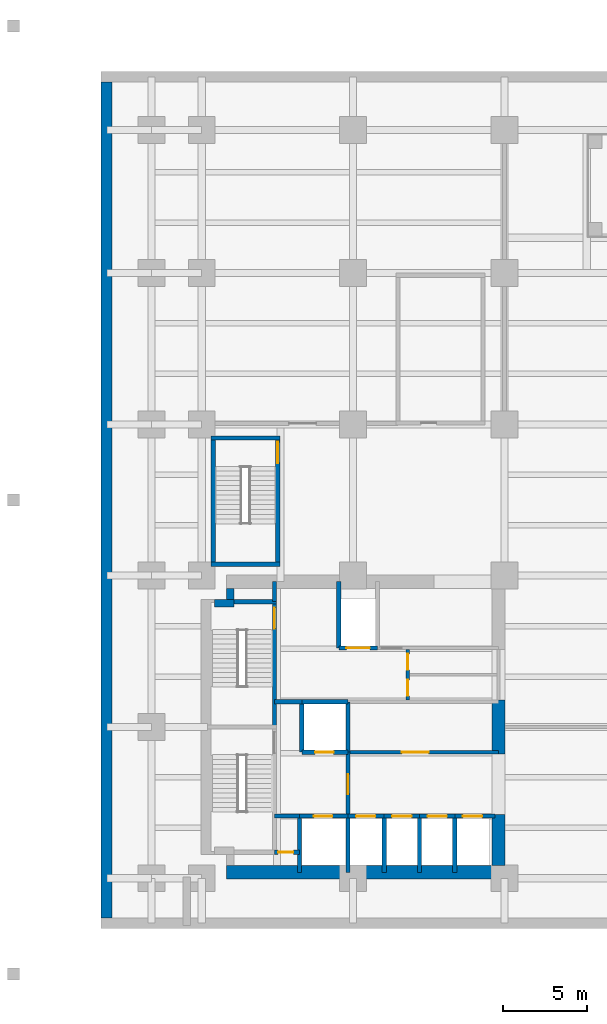
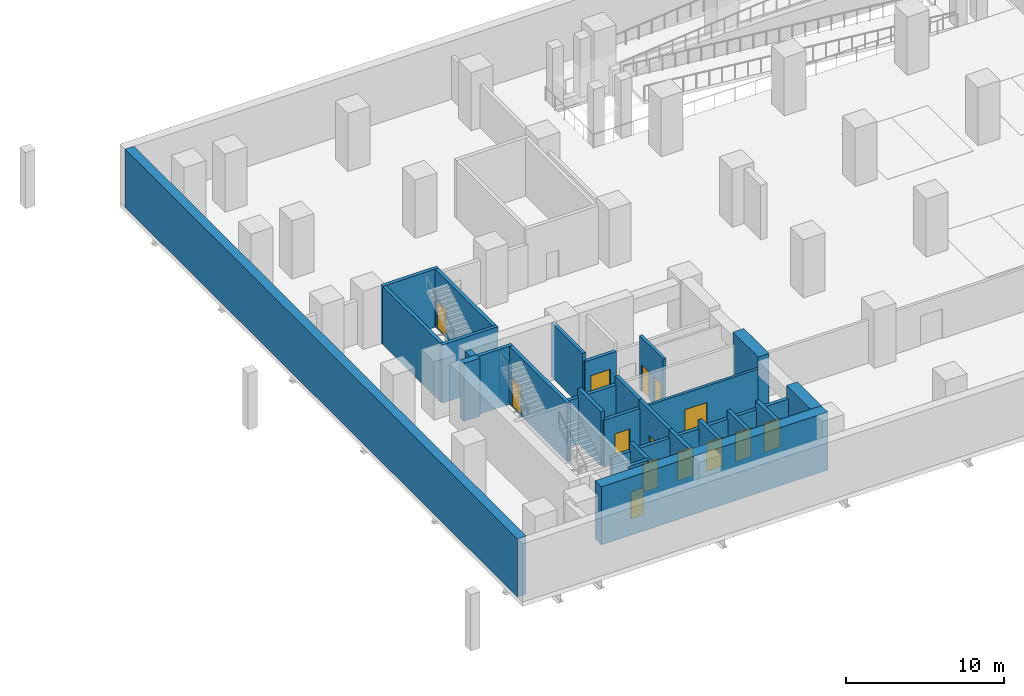
# One storey, part 5 of 10: 35 walls, 14 doors, 14 openings.
"""IFC4 building model written with IfcOpenShell, lengths in metres."""

from ifc_helpers import new_model, si_unit, direction, frame, frame_2d, origin, place, context, subcontext, project, spatial, rectangle, extrude, material, layer, layer_set, type_object, element, fill, save


model = new_model("IFC4")

# Units and contexts
model_context = context("Model", 3, precision=1e-05, world=origin(), true_north=direction((0.0, 1.0)))
body_context = subcontext(model_context, "Body", "Model", "MODEL_VIEW")
ifc_project = project(units=[si_unit("LENGTHUNIT", "METRE"), si_unit("AREAUNIT", "SQUARE_METRE"), si_unit("VOLUMEUNIT", "CUBIC_METRE"), si_unit("PLANEANGLEUNIT", "RADIAN"), si_unit("MASSUNIT", "GRAM", prefix="KILO")], contexts=[model_context])

# Site, building, storey
site_placement = place(None, origin())
site = spatial("IfcSite", under=ifc_project, at=site_placement, CompositionType="ELEMENT")
building_placement = place(site_placement, origin())
building = spatial("IfcBuilding", under=site, at=building_placement, Name="Mawjdan Bourse Tower", CompositionType="ELEMENT")
storey_placement = place(building_placement, frame((0.0, 0.0, -4.5)))
storey = spatial("IfcBuildingStorey", under=building, at=storey_placement, Name="B01", CompositionType="ELEMENT", Elevation=-4.5)

# Wall, opening, door
ifc_material_1 = material(Name="Gypsum Fireboard Assembly")
ifc_layer_1 = layer(ifc_material_1, 0.199951171875)
ifc_layer_set_1 = layer_set([ifc_layer_1], Name="Gypsum Fireboard Assembly")
wall_type_1 = type_object("IfcWallType", Name="WL-CMP-200", PredefinedType="PARTITIONING", material=ifc_layer_set_1)
wall_1_placement = place(storey_placement, frame((14.699951171875, 10.5, 0.0), z_axis=(0.0, 0.0, 1.0), x_axis=(1.0, 0.0, 0.0)))
wall_1 = element("IfcWall", 1, at=wall_1_placement, inside=storey, type_object=wall_type_1, Name="B01 Basement Switchroom South Wall", PredefinedType="PARTITIONING", context=body_context, shape_type="SweptSolid", body=[
    extrude(rectangle(XDim=8.949951171875, YDim=0.199951171875, at=frame_2d((4.47509765625, 0.0))), origin(), (0.0, 0.0, 1.0), 3.572998046875),
])
opening_1_placement = place(wall_1_placement, frame((3.199951171875, 0.0, 0.0)))
opening_1 = element("IfcOpeningElement", 2, at=opening_1_placement, cuts=wall_1, Name="Opening PD-B01-15", PredefinedType="OPENING", context=body_context, shape_type="SweptSolid", body=[
    extrude(rectangle(XDim=1.60009765625, YDim=2.300048828125, at=frame_2d((0.800048828125, 1.14990234375))), frame((0.0, 0.10986328125, 0.0), z_axis=(0.0, -1.0, 0.0), x_axis=(1.0, 0.0, 0.0)), (0.0, 0.0, 1.0), 0.219970703125),
])
ifc_material_2 = material(Name="Fire-Rated Acoustic Steel", Category="steel")
door_type_1 = type_object("IfcDoorType", Name="FD-PLT-1600", OperationType="DOUBLE_DOOR_SINGLE_SWING", PredefinedType="DOOR", material=ifc_material_2)
door_1_placement = place(opening_1_placement, frame((1.60009765625, 0.0, 0.0), z_axis=(0.0, 0.0, 1.0), x_axis=(-1.0, 0.0, 0.0)))
door_1 = element("IfcDoor", 3, at=door_1_placement, inside=storey, type_object=door_type_1, Name="B01 LV Switchroom Door PD-B01-15", OperationType="DOUBLE_DOOR_SINGLE_SWING", OverallHeight=2.300048828125, OverallWidth=1.60009765625, PredefinedType="DOOR", context=body_context, shape_type="SweptSolid", body=[
    extrude(rectangle(XDim=1.60009765625, YDim=2.300048828125, at=frame_2d((0.800048828125, 1.14990234375))), frame((0.0, 0.02490234375, 0.0), z_axis=(0.0, -1.0, 0.0), x_axis=(1.0, 0.0, 0.0)), (0.0, 0.0, 1.0), 0.050048828125),
])
fill(opening_1, door_1)

# Wall, openings, doors
wall_2_placement = place(storey_placement, frame((18.25, 13.60009765625, 0.0), z_axis=(0.0, 0.0, 1.0), x_axis=(0.0, 1.0, 0.0)))
wall_2 = element("IfcWall", 4, at=wall_2_placement, inside=storey, type_object=wall_type_1, Name="B01 Core Restroom West Wall", PredefinedType="PARTITIONING", context=body_context, shape_type="SweptSolid", body=[
    extrude(rectangle(XDim=3.0, YDim=0.199951171875, at=frame_2d((1.5, 0.0))), origin(), (0.0, 0.0, 1.0), 4.18994140625),
])
opening_2_placement = place(wall_2_placement, frame((0.25, 0.0, 0.0)))
opening_2 = element("IfcOpeningElement", 5, at=opening_2_placement, cuts=wall_2, Name="Opening D-B01-16", PredefinedType="OPENING", context=body_context, shape_type="SweptSolid", body=[
    extrude(rectangle(XDim=0.949951171875, YDim=2.10009765625, at=frame_2d((0.47509765625, 1.050048828125))), frame((0.0, 0.10986328125, 0.0), z_axis=(0.0, -1.0, 0.0), x_axis=(1.0, 0.0, 0.0)), (0.0, 0.0, 1.0), 0.219970703125),
])
opening_3_placement = place(wall_2_placement, frame((1.800048828125, 0.0, 0.0)))
opening_3 = element("IfcOpeningElement", 6, at=opening_3_placement, cuts=wall_2, Name="Opening D-B01-17", PredefinedType="OPENING", context=body_context, shape_type="SweptSolid", body=[
    extrude(rectangle(XDim=0.949951171875, YDim=2.10009765625, at=frame_2d((0.47509765625, 1.050048828125))), frame((0.0, 0.10986328125, 0.0), z_axis=(0.0, -1.0, 0.0), x_axis=(1.0, 0.0, 0.0)), (0.0, 0.0, 1.0), 0.219970703125),
])
ifc_material_3 = material(Name="Moisture-Resistant Laminate Timber", Category="wood")
door_type_2 = type_object("IfcDoorType", Name="DR-WET-0950", OperationType="NOTDEFINED", PredefinedType="DOOR", material=ifc_material_3)
door_2_placement = place(opening_2_placement, origin())
door_2 = element("IfcDoor", 7, at=door_2_placement, inside=storey, type_object=door_type_2, Name="B01 Accessible WC Entry Door D-B01-16", OperationType="SINGLE_SWING_LEFT", OverallHeight=2.10009765625, OverallWidth=0.949951171875, PredefinedType="DOOR", context=body_context, shape_type="SweptSolid", body=[
    extrude(rectangle(XDim=0.949951171875, YDim=2.10009765625, at=frame_2d((0.47509765625, 1.050048828125))), frame((0.0, 0.02490234375, 0.0), z_axis=(0.0, -1.0, 0.0), x_axis=(1.0, 0.0, 0.0)), (0.0, 0.0, 1.0), 0.050048828125),
])
fill(opening_2, door_2)
door_3_placement = place(opening_3_placement, origin())
door_3 = element("IfcDoor", 8, at=door_3_placement, inside=storey, type_object=door_type_2, Name="B01 Core Restroom Entry Door D-B01-17", OperationType="SINGLE_SWING_RIGHT", OverallHeight=2.10009765625, OverallWidth=0.949951171875, PredefinedType="DOOR", context=body_context, shape_type="SweptSolid", body=[
    extrude(rectangle(XDim=0.949951171875, YDim=2.10009765625, at=frame_2d((0.47509765625, 1.050048828125))), frame((0.0, 0.02490234375, 0.0), z_axis=(0.0, -1.0, 0.0), x_axis=(1.0, 0.0, 0.0)), (0.0, 0.0, 1.0), 0.050048828125),
])
fill(opening_3, door_3)

# Walls
ifc_material_4 = material(Name="Concrete C60/75", Category="concrete")
ifc_layer_2 = layer(ifc_material_4, 0.449951171875)
ifc_layer_set_2 = layer_set([ifc_layer_2], Name="Concrete C60/75")
wall_type_2 = type_object("IfcWallType", Name="WL-CORE-450", PredefinedType="SHEAR", material=ifc_layer_set_2)
wall_3_placement = place(storey_placement, frame((6.75, 19.35009765625, 0.0), z_axis=(0.0, 0.0, 1.0), x_axis=(1.0, 0.0, 0.0)))
element("IfcWall", 9, at=wall_3_placement, inside=storey, type_object=wall_type_2, Name="B01 Rear Core Shear Wall NW-X", PredefinedType="SHEAR", context=body_context, shape_type="SweptSolid", body=[
    extrude(rectangle(XDim=1.175048828125, YDim=0.449951171875, at=frame_2d((0.58740234375, 0.0))), origin(), (0.0, 0.0, 1.0), 4.5),
])
wall_4_placement = place(storey_placement, frame((7.699951171875, 19.574951171875, 0.0), z_axis=(0.0, 0.0, 1.0), x_axis=(0.0, 1.0, 0.0)))
element("IfcWall", 10, at=wall_4_placement, inside=storey, type_object=wall_type_2, Name="B01 Rear Core Shear Wall NW-Y", PredefinedType="SHEAR", context=body_context, shape_type="SweptSolid", body=[
    extrude(rectangle(XDim=0.675048828125, YDim=0.449951171875, at=frame_2d((0.33740234375, 0.0))), origin(), (0.0, 0.0, 1.0), 4.5),
])
ifc_material_5 = material(Name="Concrete C80/95", Category="concrete")
ifc_layer_3 = layer(ifc_material_5, 0.800048828125)
ifc_layer_set_3 = layer_set([ifc_layer_3], Name="Concrete C80/95")
wall_type_3 = type_object("IfcWallType", Name="WL-CORE-800", PredefinedType="SHEAR", material=ifc_layer_set_3)
wall_5_placement = place(storey_placement, frame((7.47509765625, 3.35009765625, 0.0), z_axis=(0.0, 0.0, 1.0), x_axis=(1.0, 0.0, 0.0)))
element("IfcWall", 11, at=wall_5_placement, inside=storey, type_object=wall_type_3, Name="B01 Rear Core Shear Wall S", PredefinedType="SHEAR", context=body_context, shape_type="SweptSolid", body=[
    extrude(rectangle(XDim=16.574951171875, YDim=0.800048828125, at=frame_2d((8.28759765625, 0.0))), origin(), (0.0, 0.0, 1.0), 4.5),
])
wall_6_placement = place(storey_placement, frame((23.64990234375, 3.75, 0.0), z_axis=(0.0, 0.0, 1.0), x_axis=(0.0, 1.0, 0.0)))
element("IfcWall", 12, at=wall_6_placement, inside=storey, type_object=wall_type_3, Name="B01 Rear Core Shear Wall E1", PredefinedType="SHEAR", context=body_context, shape_type="SweptSolid", body=[
    extrude(rectangle(XDim=3.050048828125, YDim=0.800048828125, at=frame_2d((1.52490234375, 0.0))), origin(), (0.0, 0.0, 1.0), 4.5),
])
wall_7_placement = place(storey_placement, frame((23.64990234375, 10.39990234375, 0.0), z_axis=(0.0, 0.0, 1.0), x_axis=(0.0, 1.0, 0.0)))
element("IfcWall", 13, at=wall_7_placement, inside=storey, type_object=wall_type_3, Name="B01 Rear Core Shear Wall E2", PredefinedType="SHEAR", context=body_context, shape_type="SweptSolid", body=[
    extrude(rectangle(XDim=3.2001953125, YDim=0.800048828125, at=frame_2d((1.60009765625, 0.0))), origin(), (0.0, 0.0, 1.0), 4.5),
])
ifc_layer_4 = layer(ifc_material_4, 0.64990234375)
ifc_layer_set_4 = layer_set([ifc_layer_4], Name="Concrete C60/75")
wall_type_4 = type_object("IfcWallType", Name="WL-RET-650", PredefinedType="USERDEFINED", material=ifc_layer_set_4)
wall_8_placement = place(storey_placement, frame((0.324951171875, 50.35009765625, 0.0), z_axis=(0.0, 0.0, 1.0), x_axis=(0.0, -1.0, 0.0)))
element("IfcWall", 14, at=wall_8_placement, inside=storey, type_object=wall_type_4, Name="B01 Perimeter Diaphragm Retaining Wall W", ObjectType="RETAINING", PredefinedType="USERDEFINED", context=body_context, shape_type="SweptSolid", body=[
    extrude(rectangle(XDim=49.7001953125, YDim=0.64990234375, at=frame_2d((24.85009765625, 0.0))), origin(), (0.0, 0.0, 1.0), 4.5),
])

# Wall, opening, door
ifc_material_6 = material(Name="Concrete C50/60", Category="concrete")
ifc_layer_5 = layer(ifc_material_6, 0.25)
ifc_layer_set_5 = layer_set([ifc_layer_5], Name="Concrete C50/60")
wall_type_5 = type_object("IfcWallType", Name="WL-SHFT-250", PredefinedType="PARTITIONING", material=ifc_layer_set_5)
wall_9_placement = place(storey_placement, frame((10.330078125, 4.550048828125, 0.0), z_axis=(0.0, 0.0, 1.0), x_axis=(1.0, 0.0, 0.0)))
wall_9 = element("IfcWall", 15, at=wall_9_placement, inside=storey, type_object=wall_type_5, Name="B01 SW Riser North Wall", PredefinedType="PARTITIONING", context=body_context, shape_type="SweptSolid", body=[
    extrude(rectangle(XDim=1.489990234375, YDim=0.25, at=frame_2d((0.7451171875, 0.0))), origin(), (0.0, 0.0, 1.0), 4.18994140625),
])
opening_4_placement = place(wall_9_placement, frame((0.219970703125, 0.0, 0.0)))
opening_4 = element("IfcOpeningElement", 16, at=opening_4_placement, cuts=wall_9, Name="Opening RD-B01-03", PredefinedType="OPENING", context=body_context, shape_type="SweptSolid", body=[
    extrude(rectangle(XDim=0.89990234375, YDim=2.10009765625, at=frame_2d((0.449951171875, 1.050048828125))), frame((0.0, 0.135009765625, 0.0), z_axis=(0.0, -1.0, 0.0), x_axis=(1.0, 0.0, 0.0)), (0.0, 0.0, 1.0), 0.27001953125),
])
ifc_material_7 = material(Name="Fire-Rated Steel Access Leaf", Category="steel")
door_type_3 = type_object("IfcDoorType", Name="FD-RSR-0900", OperationType="NOTDEFINED", PredefinedType="TRAPDOOR", material=ifc_material_7)
door_4_placement = place(opening_4_placement, origin())
door_4 = element("IfcDoor", 17, at=door_4_placement, inside=storey, type_object=door_type_3, Name="B01 Electrical Riser Access Door RD-B01-03", OperationType="SINGLE_SWING_RIGHT", OverallHeight=2.10009765625, OverallWidth=0.89990234375, PredefinedType="TRAPDOOR", context=body_context, shape_type="SweptSolid", body=[
    extrude(rectangle(XDim=0.89990234375, YDim=2.10009765625, at=frame_2d((0.449951171875, 1.050048828125))), frame((0.0, 0.02490234375, 0.0), z_axis=(0.0, -1.0, 0.0), x_axis=(1.0, 0.0, 0.0)), (0.0, 0.0, 1.0), 0.050048828125),
])
fill(opening_4, door_4)

# Walls
wall_10_placement = place(storey_placement, frame((11.820068359375, 3.35009765625, 0.0), z_axis=(0.0, 0.0, 1.0), x_axis=(0.0, 1.0, 0.0)))
element("IfcWall", 18, at=wall_10_placement, inside=storey, type_object=wall_type_5, Name="B01 SW Riser & FFL01 West Wall", PredefinedType="PARTITIONING", context=body_context, shape_type="SweptSolid", body=[
    extrude(rectangle(XDim=3.349853515625, YDim=0.25, at=frame_2d((1.6748046875, 0.0))), origin(), (0.0, 0.0, 1.0), 4.18994140625),
])
wall_11_placement = place(storey_placement, frame((10.330078125, 19.449951171875, 0.0), z_axis=(0.0, 0.0, 1.0), x_axis=(0.0, 1.0, 0.0)))
element("IfcWall", 19, at=wall_11_placement, inside=storey, type_object=wall_type_5, Name="B01 NW Riser East Wall", PredefinedType="PARTITIONING", context=body_context, shape_type="SweptSolid", body=[
    extrude(rectangle(XDim=1.199951171875, YDim=0.25, at=frame_2d((0.60009765625, 0.0))), origin(), (0.0, 0.0, 1.0), 3.333984375),
])

# Wall, opening, door
wall_12_placement = place(storey_placement, frame((11.820068359375, 6.699951171875, 0.0), z_axis=(0.0, 0.0, 1.0), x_axis=(1.0, 0.0, 0.0)))
wall_12 = element("IfcWall", 20, at=wall_12_placement, inside=storey, type_object=wall_type_5, Name="B01 FFL-01 Front Shaft Wall", PredefinedType="PARTITIONING", context=body_context, shape_type="SweptSolid", body=[
    extrude(rectangle(XDim=2.8798828125, YDim=0.25, at=frame_2d((1.43994140625, 0.0))), origin(), (0.0, 0.0, 1.0), 3.572998046875),
])
opening_5_placement = place(wall_12_placement, frame((0.85009765625, 0.0, 0.0)))
opening_5 = element("IfcOpeningElement", 21, at=opening_5_placement, cuts=wall_12, Name="Opening LD-B01-05", PredefinedType="OPENING", context=body_context, shape_type="SweptSolid", body=[
    extrude(rectangle(XDim=1.10009765625, YDim=2.25, at=frame_2d((0.550048828125, 1.125))), frame((0.0, 0.135009765625, 0.0), z_axis=(0.0, -1.0, 0.0), x_axis=(1.0, 0.0, 0.0)), (0.0, 0.0, 1.0), 0.27001953125),
])
ifc_material_8 = material(Name="Brushed Stainless Steel", Category="steel")
door_type_4 = type_object("IfcDoorType", Name="LD-FFL-1100", OperationType="DOUBLE_DOOR_SLIDING", PredefinedType="DOOR", material=ifc_material_8)
door_5_placement = place(opening_5_placement, origin())
door_5 = element("IfcDoor", 22, at=door_5_placement, inside=storey, type_object=door_type_4, Name="B01 Firefighting Lift FFL-01 Landing Door LD-B01-05", OperationType="DOUBLE_DOOR_SLIDING", OverallHeight=2.25, OverallWidth=1.10009765625, PredefinedType="DOOR", context=body_context, shape_type="SweptSolid", body=[
    extrude(rectangle(XDim=1.10009765625, YDim=2.25, at=frame_2d((0.550048828125, 1.125))), frame((0.0, 0.02490234375, 0.0), z_axis=(0.0, -1.0, 0.0), x_axis=(1.0, 0.0, 0.0)), (0.0, 0.0, 1.0), 0.050048828125),
])
fill(opening_5, door_5)

# Wall
wall_13_placement = place(storey_placement, frame((14.699951171875, 3.35009765625, 0.0), z_axis=(0.0, 0.0, 1.0), x_axis=(0.0, 1.0, 0.0)))
element("IfcWall", 23, at=wall_13_placement, inside=storey, type_object=wall_type_5, Name="B01 FFL-01 East Shaft Wall", PredefinedType="PARTITIONING", context=body_context, shape_type="SweptSolid", body=[
    extrude(rectangle(XDim=3.349853515625, YDim=0.25, at=frame_2d((1.6748046875, 0.0))), origin(), (0.0, 0.0, 1.0), 4.18994140625),
])

# Wall, opening, door
wall_14_placement = place(storey_placement, frame((11.949951171875, 10.5, 0.0), z_axis=(0.0, 0.0, 1.0), x_axis=(1.0, 0.0, 0.0)))
wall_14 = element("IfcWall", 24, at=wall_14_placement, inside=storey, type_object=wall_type_5, Name="B01 FFL-02 Front Shaft Wall", PredefinedType="PARTITIONING", context=body_context, shape_type="SweptSolid", body=[
    extrude(rectangle(XDim=2.75, YDim=0.25, at=frame_2d((1.375, 0.0))), origin(), (0.0, 0.0, 1.0), 3.572998046875),
])
opening_6_placement = place(wall_14_placement, frame((0.800048828125, 0.0, 0.0)))
opening_6 = element("IfcOpeningElement", 25, at=opening_6_placement, cuts=wall_14, Name="Opening LD-B01-06", PredefinedType="OPENING", context=body_context, shape_type="SweptSolid", body=[
    extrude(rectangle(XDim=1.10009765625, YDim=2.25, at=frame_2d((0.550048828125, 1.125))), frame((0.0, 0.135009765625, 0.0), z_axis=(0.0, -1.0, 0.0), x_axis=(1.0, 0.0, 0.0)), (0.0, 0.0, 1.0), 0.27001953125),
])
door_6_placement = place(opening_6_placement, origin())
door_6 = element("IfcDoor", 26, at=door_6_placement, inside=storey, type_object=door_type_4, Name="B01 Firefighting Lift FFL-02 Landing Door LD-B01-06", OperationType="DOUBLE_DOOR_SLIDING", OverallHeight=2.25, OverallWidth=1.10009765625, PredefinedType="DOOR", context=body_context, shape_type="SweptSolid", body=[
    extrude(rectangle(XDim=1.10009765625, YDim=2.25, at=frame_2d((0.550048828125, 1.125))), frame((0.0, 0.02490234375, 0.0), z_axis=(0.0, -1.0, 0.0), x_axis=(1.0, 0.0, 0.0)), (0.0, 0.0, 1.0), 0.050048828125),
])
fill(opening_6, door_6)

# Walls
wall_15_placement = place(storey_placement, frame((11.949951171875, 10.5, 0.0), z_axis=(0.0, 0.0, 1.0), x_axis=(0.0, 1.0, 0.0)))
element("IfcWall", 27, at=wall_15_placement, inside=storey, type_object=wall_type_5, Name="B01 FFL-02 West Shaft Wall", PredefinedType="PARTITIONING", context=body_context, shape_type="SweptSolid", body=[
    extrude(rectangle(XDim=3.0, YDim=0.25, at=frame_2d((1.5, 0.0))), origin(), (0.0, 0.0, 1.0), 4.18994140625),
])
wall_16_placement = place(storey_placement, frame((11.949951171875, 13.5, 0.0), z_axis=(0.0, 0.0, 1.0), x_axis=(1.0, 0.0, 0.0)))
element("IfcWall", 28, at=wall_16_placement, inside=storey, type_object=wall_type_5, Name="B01 FFL-02 North Shaft Wall", PredefinedType="PARTITIONING", context=body_context, shape_type="SweptSolid", body=[
    extrude(rectangle(XDim=2.75, YDim=0.25, at=frame_2d((1.375, 0.0))), origin(), (0.0, 0.0, 1.0), 3.572998046875),
])
wall_17_placement = place(storey_placement, frame((14.699951171875, 10.5, 0.0), z_axis=(0.0, 0.0, 1.0), x_axis=(0.0, 1.0, 0.0)))
element("IfcWall", 29, at=wall_17_placement, inside=storey, type_object=wall_type_5, Name="B01 FFL-02 East Shaft Wall", PredefinedType="PARTITIONING", context=body_context, shape_type="SweptSolid", body=[
    extrude(rectangle(XDim=3.0, YDim=0.25, at=frame_2d((1.5, 0.0))), origin(), (0.0, 0.0, 1.0), 4.18994140625),
])

# Wall, opening, door
wall_18_placement = place(storey_placement, frame((14.699951171875, 6.699951171875, 0.0), z_axis=(0.0, 0.0, 1.0), x_axis=(0.0, 1.0, 0.0)))
wall_18 = element("IfcWall", 30, at=wall_18_placement, inside=storey, type_object=wall_type_5, Name="B01 Firefighting Lobby East Compartment Wall", PredefinedType="PARTITIONING", context=body_context, shape_type="SweptSolid", body=[
    extrude(rectangle(XDim=3.800048828125, YDim=0.25, at=frame_2d((1.89990234375, 0.0))), origin(), (0.0, 0.0, 1.0), 4.18994140625),
])
opening_7_placement = place(wall_18_placement, frame((1.300048828125, 0.0, 0.0)))
opening_7 = element("IfcOpeningElement", 31, at=opening_7_placement, cuts=wall_18, Name="Opening FD-B01-07", PredefinedType="OPENING", context=body_context, shape_type="SweptSolid", body=[
    extrude(rectangle(XDim=1.199951171875, YDim=2.199951171875, at=frame_2d((0.60009765625, 1.10009765625))), frame((0.0, 0.135009765625, 0.0), z_axis=(0.0, -1.0, 0.0), x_axis=(1.0, 0.0, 0.0)), (0.0, 0.0, 1.0), 0.27001953125),
])
ifc_material_9 = material(Name="Fire-Rated Steel Leaf", Category="steel")
door_type_5 = type_object("IfcDoorType", Name="FD-FFL-1200", OperationType="NOTDEFINED", PredefinedType="DOOR", material=ifc_material_9)
door_7_placement = place(opening_7_placement, origin())
door_7 = element("IfcDoor", 32, at=door_7_placement, inside=storey, type_object=door_type_5, Name="B01 Firefighting Lobby East Smoke Door FD-B01-07", OperationType="SINGLE_SWING_RIGHT", OverallHeight=2.199951171875, OverallWidth=1.199951171875, PredefinedType="DOOR", context=body_context, shape_type="SweptSolid", body=[
    extrude(rectangle(XDim=1.199951171875, YDim=2.199951171875, at=frame_2d((0.60009765625, 1.10009765625))), frame((0.0, 0.02490234375, 0.0), z_axis=(0.0, -1.0, 0.0), x_axis=(1.0, 0.0, 0.0)), (0.0, 0.0, 1.0), 0.050048828125),
])
fill(opening_7, door_7)

# Walls
wall_19_placement = place(storey_placement, frame((10.330078125, 13.5, 0.0), z_axis=(0.0, 0.0, 1.0), x_axis=(1.0, 0.0, 0.0)))
element("IfcWall", 33, at=wall_19_placement, inside=storey, type_object=wall_type_5, Name="B01 Firefighting Lobby North Compartment Wall", PredefinedType="PARTITIONING", context=body_context, shape_type="SweptSolid", body=[
    extrude(rectangle(XDim=1.619873046875, YDim=0.25, at=frame_2d((0.81005859375, 0.0))), origin(), (0.0, 0.0, 1.0), 3.572998046875),
])
wall_20_placement = place(storey_placement, frame((10.330078125, 6.699951171875, 0.0), z_axis=(0.0, 0.0, 1.0), x_axis=(1.0, 0.0, 0.0)))
element("IfcWall", 34, at=wall_20_placement, inside=storey, type_object=wall_type_5, Name="B01 Firefighting Lobby South Closure Wall", PredefinedType="PARTITIONING", context=body_context, shape_type="SweptSolid", body=[
    extrude(rectangle(XDim=1.489990234375, YDim=0.25, at=frame_2d((0.7451171875, 0.0))), origin(), (0.0, 0.0, 1.0), 3.572998046875),
])

# Wall, opening, door
wall_21_placement = place(storey_placement, frame((14.14990234375, 16.699951171875, 0.0), z_axis=(0.0, 0.0, 1.0), x_axis=(1.0, 0.0, 0.0)))
wall_21 = element("IfcWall", 35, at=wall_21_placement, inside=storey, type_object=wall_type_5, Name="B01 SVL-01 Front Shaft Wall", PredefinedType="PARTITIONING", context=body_context, shape_type="SweptSolid", body=[
    extrude(rectangle(XDim=2.300048828125, YDim=0.25, at=frame_2d((1.14990234375, 0.0))), origin(), (0.0, 0.0, 1.0), 3.572998046875),
])
opening_8_placement = place(wall_21_placement, frame((0.449951171875, 0.0, 0.0)))
opening_8 = element("IfcOpeningElement", 36, at=opening_8_placement, cuts=wall_21, Name="Opening LD-B01-09", PredefinedType="OPENING", context=body_context, shape_type="SweptSolid", body=[
    extrude(rectangle(XDim=1.39990234375, YDim=2.35009765625, at=frame_2d((0.699951171875, 1.175048828125))), frame((0.0, 0.135009765625, 0.0), z_axis=(0.0, -1.0, 0.0), x_axis=(1.0, 0.0, 0.0)), (0.0, 0.0, 1.0), 0.27001953125),
])
ifc_material_10 = material(Name="Heavy-Duty Stainless Steel", Category="steel")
door_type_6 = type_object("IfcDoorType", Name="LD-SRV-1400", OperationType="DOUBLE_DOOR_SLIDING", PredefinedType="DOOR", material=ifc_material_10)
door_8_placement = place(opening_8_placement, origin())
door_8 = element("IfcDoor", 37, at=door_8_placement, inside=storey, type_object=door_type_6, Name="B01 Service Lift SVL-01 Landing Door LD-B01-09", OperationType="DOUBLE_DOOR_SLIDING", OverallHeight=2.35009765625, OverallWidth=1.39990234375, PredefinedType="DOOR", context=body_context, shape_type="SweptSolid", body=[
    extrude(rectangle(XDim=1.39990234375, YDim=2.35009765625, at=frame_2d((0.699951171875, 1.175048828125))), frame((0.0, 0.02490234375, 0.0), z_axis=(0.0, -1.0, 0.0), x_axis=(1.0, 0.0, 0.0)), (0.0, 0.0, 1.0), 0.050048828125),
])
fill(opening_8, door_8)

# Wall
wall_22_placement = place(storey_placement, frame((14.14990234375, 16.699951171875, 0.0), z_axis=(0.0, 0.0, 1.0), x_axis=(0.0, 1.0, 0.0)))
element("IfcWall", 38, at=wall_22_placement, inside=storey, type_object=wall_type_5, Name="B01 SVL-01 West Shaft Wall", PredefinedType="PARTITIONING", context=body_context, shape_type="SweptSolid", body=[
    extrude(rectangle(XDim=3.949951171875, YDim=0.25, at=frame_2d((1.97509765625, 0.0))), origin(), (0.0, 0.0, 1.0), 4.18994140625),
])

# Wall, opening, door
wall_23_placement = place(storey_placement, frame((14.699951171875, 6.699951171875, 0.0), z_axis=(0.0, 0.0, 1.0), x_axis=(1.0, 0.0, 0.0)))
wall_23 = element("IfcWall", 39, at=wall_23_placement, inside=storey, type_object=wall_type_5, Name="B01 PL-04 Front Wall", PredefinedType="PARTITIONING", context=body_context, shape_type="SweptSolid", body=[
    extrude(rectangle(XDim=2.150146484375, YDim=0.25, at=frame_2d((1.0751953125, 0.0))), origin(), (0.0, 0.0, 1.0), 3.572998046875),
])
opening_9_placement = place(wall_23_placement, frame((0.47998046875, 0.0, 0.0)))
opening_9 = element("IfcOpeningElement", 40, at=opening_9_placement, cuts=wall_23, Name="Opening LD-B01-11", PredefinedType="OPENING", context=body_context, shape_type="SweptSolid", body=[
    extrude(rectangle(XDim=1.14990234375, YDim=2.25, at=frame_2d((0.574951171875, 1.125))), frame((0.0, 0.135009765625, 0.0), z_axis=(0.0, -1.0, 0.0), x_axis=(1.0, 0.0, 0.0)), (0.0, 0.0, 1.0), 0.27001953125),
])
door_type_7 = type_object("IfcDoorType", Name="LD-PAS-1150", OperationType="DOUBLE_DOOR_SLIDING", PredefinedType="DOOR", material=ifc_material_8)
door_9_placement = place(opening_9_placement, origin())
door_9 = element("IfcDoor", 41, at=door_9_placement, inside=storey, type_object=door_type_7, Name="B01 Lift PL-04 Landing Door LD-B01-11", OperationType="DOUBLE_DOOR_SLIDING", OverallHeight=2.25, OverallWidth=1.14990234375, PredefinedType="DOOR", context=body_context, shape_type="SweptSolid", body=[
    extrude(rectangle(XDim=1.14990234375, YDim=2.25, at=frame_2d((0.574951171875, 1.125))), frame((0.0, 0.02490234375, 0.0), z_axis=(0.0, -1.0, 0.0), x_axis=(1.0, 0.0, 0.0)), (0.0, 0.0, 1.0), 0.050048828125),
])
fill(opening_9, door_9)

# Wall
wall_24_placement = place(storey_placement, frame((16.85009765625, 3.35009765625, 0.0), z_axis=(0.0, 0.0, 1.0), x_axis=(0.0, 1.0, 0.0)))
element("IfcWall", 42, at=wall_24_placement, inside=storey, type_object=wall_type_5, Name="B01 PL-04 Divider Wall", PredefinedType="PARTITIONING", context=body_context, shape_type="SweptSolid", body=[
    extrude(rectangle(XDim=3.349853515625, YDim=0.25, at=frame_2d((1.6748046875, 0.0))), origin(), (0.0, 0.0, 1.0), 4.18994140625),
])

# Wall, opening, door
wall_25_placement = place(storey_placement, frame((16.85009765625, 6.699951171875, 0.0), z_axis=(0.0, 0.0, 1.0), x_axis=(1.0, 0.0, 0.0)))
wall_25 = element("IfcWall", 43, at=wall_25_placement, inside=storey, type_object=wall_type_5, Name="B01 PL-01 Front Wall", PredefinedType="PARTITIONING", context=body_context, shape_type="SweptSolid", body=[
    extrude(rectangle(XDim=2.099853515625, YDim=0.25, at=frame_2d((1.0498046875, 0.0))), origin(), (0.0, 0.0, 1.0), 3.572998046875),
])
opening_10_placement = place(wall_25_placement, frame((0.47998046875, 0.0, 0.0)))
opening_10 = element("IfcOpeningElement", 44, at=opening_10_placement, cuts=wall_25, Name="Opening LD-B01-12", PredefinedType="OPENING", context=body_context, shape_type="SweptSolid", body=[
    extrude(rectangle(XDim=1.14990234375, YDim=2.25, at=frame_2d((0.574951171875, 1.125))), frame((0.0, 0.135009765625, 0.0), z_axis=(0.0, -1.0, 0.0), x_axis=(1.0, 0.0, 0.0)), (0.0, 0.0, 1.0), 0.27001953125),
])
door_10_placement = place(opening_10_placement, origin())
door_10 = element("IfcDoor", 45, at=door_10_placement, inside=storey, type_object=door_type_7, Name="B01 Lift PL-01 Landing Door LD-B01-12", OperationType="DOUBLE_DOOR_SLIDING", OverallHeight=2.25, OverallWidth=1.14990234375, PredefinedType="DOOR", context=body_context, shape_type="SweptSolid", body=[
    extrude(rectangle(XDim=1.14990234375, YDim=2.25, at=frame_2d((0.574951171875, 1.125))), frame((0.0, 0.02490234375, 0.0), z_axis=(0.0, -1.0, 0.0), x_axis=(1.0, 0.0, 0.0)), (0.0, 0.0, 1.0), 0.050048828125),
])
fill(opening_10, door_10)

# Wall
wall_26_placement = place(storey_placement, frame((18.949951171875, 3.35009765625, 0.0), z_axis=(0.0, 0.0, 1.0), x_axis=(0.0, 1.0, 0.0)))
element("IfcWall", 46, at=wall_26_placement, inside=storey, type_object=wall_type_5, Name="B01 PL-01 Divider Wall", PredefinedType="PARTITIONING", context=body_context, shape_type="SweptSolid", body=[
    extrude(rectangle(XDim=3.349853515625, YDim=0.25, at=frame_2d((1.6748046875, 0.0))), origin(), (0.0, 0.0, 1.0), 4.18994140625),
])

# Wall, opening, door
wall_27_placement = place(storey_placement, frame((18.949951171875, 6.699951171875, 0.0), z_axis=(0.0, 0.0, 1.0), x_axis=(1.0, 0.0, 0.0)))
wall_27 = element("IfcWall", 47, at=wall_27_placement, inside=storey, type_object=wall_type_5, Name="B01 PL-02 Front Wall", PredefinedType="PARTITIONING", context=body_context, shape_type="SweptSolid", body=[
    extrude(rectangle(XDim=2.10009765625, YDim=0.25, at=frame_2d((1.050048828125, 0.0))), origin(), (0.0, 0.0, 1.0), 3.572998046875),
])
opening_11_placement = place(wall_27_placement, frame((0.47998046875, 0.0, 0.0)))
opening_11 = element("IfcOpeningElement", 48, at=opening_11_placement, cuts=wall_27, Name="Opening LD-B01-13", PredefinedType="OPENING", context=body_context, shape_type="SweptSolid", body=[
    extrude(rectangle(XDim=1.14990234375, YDim=2.25, at=frame_2d((0.574951171875, 1.125))), frame((0.0, 0.135009765625, 0.0), z_axis=(0.0, -1.0, 0.0), x_axis=(1.0, 0.0, 0.0)), (0.0, 0.0, 1.0), 0.27001953125),
])
door_11_placement = place(opening_11_placement, origin())
door_11 = element("IfcDoor", 49, at=door_11_placement, inside=storey, type_object=door_type_7, Name="B01 Lift PL-02 Landing Door LD-B01-13", OperationType="DOUBLE_DOOR_SLIDING", OverallHeight=2.25, OverallWidth=1.14990234375, PredefinedType="DOOR", context=body_context, shape_type="SweptSolid", body=[
    extrude(rectangle(XDim=1.14990234375, YDim=2.25, at=frame_2d((0.574951171875, 1.125))), frame((0.0, 0.02490234375, 0.0), z_axis=(0.0, -1.0, 0.0), x_axis=(1.0, 0.0, 0.0)), (0.0, 0.0, 1.0), 0.050048828125),
])
fill(opening_11, door_11)

# Wall
wall_28_placement = place(storey_placement, frame((21.050048828125, 3.35009765625, 0.0), z_axis=(0.0, 0.0, 1.0), x_axis=(0.0, 1.0, 0.0)))
element("IfcWall", 50, at=wall_28_placement, inside=storey, type_object=wall_type_5, Name="B01 PL-02 Divider Wall", PredefinedType="PARTITIONING", context=body_context, shape_type="SweptSolid", body=[
    extrude(rectangle(XDim=3.349853515625, YDim=0.25, at=frame_2d((1.6748046875, 0.0))), origin(), (0.0, 0.0, 1.0), 4.18994140625),
])

# Wall, opening, door
wall_29_placement = place(storey_placement, frame((21.050048828125, 6.699951171875, 0.0), z_axis=(0.0, 0.0, 1.0), x_axis=(1.0, 0.0, 0.0)))
wall_29 = element("IfcWall", 51, at=wall_29_placement, inside=storey, type_object=wall_type_5, Name="B01 PL-03 Front Wall", PredefinedType="PARTITIONING", context=body_context, shape_type="SweptSolid", body=[
    extrude(rectangle(XDim=2.39990234375, YDim=0.25, at=frame_2d((1.199951171875, 0.0))), origin(), (0.0, 0.0, 1.0), 3.572998046875),
])
opening_12_placement = place(wall_29_placement, frame((0.47998046875, 0.0, 0.0)))
opening_12 = element("IfcOpeningElement", 52, at=opening_12_placement, cuts=wall_29, Name="Opening LD-B01-14", PredefinedType="OPENING", context=body_context, shape_type="SweptSolid", body=[
    extrude(rectangle(XDim=1.14990234375, YDim=2.25, at=frame_2d((0.574951171875, 1.125))), frame((0.0, 0.135009765625, 0.0), z_axis=(0.0, -1.0, 0.0), x_axis=(1.0, 0.0, 0.0)), (0.0, 0.0, 1.0), 0.27001953125),
])
door_12_placement = place(opening_12_placement, origin())
door_12 = element("IfcDoor", 53, at=door_12_placement, inside=storey, type_object=door_type_7, Name="B01 Lift PL-03 Landing Door LD-B01-14", OperationType="DOUBLE_DOOR_SLIDING", OverallHeight=2.25, OverallWidth=1.14990234375, PredefinedType="DOOR", context=body_context, shape_type="SweptSolid", body=[
    extrude(rectangle(XDim=1.14990234375, YDim=2.25, at=frame_2d((0.574951171875, 1.125))), frame((0.0, 0.02490234375, 0.0), z_axis=(0.0, -1.0, 0.0), x_axis=(1.0, 0.0, 0.0)), (0.0, 0.0, 1.0), 0.050048828125),
])
fill(opening_12, door_12)

# Wall
ifc_layer_6 = layer(ifc_material_6, 0.25)
ifc_layer_set_6 = layer_set([ifc_layer_6], Name="Concrete C50/60")
wall_type_6 = type_object("IfcWallType", Name="WL-STRW-250", PredefinedType="SHEAR", material=ifc_layer_set_6)
wall_30_placement = place(storey_placement, frame((7.699951171875, 19.449951171875, 0.0), z_axis=(0.0, 0.0, 1.0), x_axis=(1.0, 0.0, 0.0)))
element("IfcWall", 54, at=wall_30_placement, inside=storey, type_object=wall_type_6, Name="B01 Stairwell ST2 North Shaft Wall", PredefinedType="SHEAR", context=body_context, shape_type="SweptSolid", body=[
    extrude(rectangle(XDim=2.755126953125, YDim=0.25, at=frame_2d((1.37744140625, 0.0))), origin(), (0.0, 0.0, 1.0), 4.5),
])

# Wall, opening, door
wall_31_placement = place(storey_placement, frame((10.330078125, 12.0, 0.0), z_axis=(0.0, 0.0, 1.0), x_axis=(0.0, 1.0, 0.0)))
wall_31 = element("IfcWall", 55, at=wall_31_placement, inside=storey, type_object=wall_type_6, Name="B01 Stairwell ST2 East Enclosure Wall", PredefinedType="SHEAR", context=body_context, shape_type="SweptSolid", body=[
    extrude(rectangle(XDim=7.449951171875, YDim=0.25, at=frame_2d((3.72509765625, 0.0))), origin(), (0.0, 0.0, 1.0), 4.5),
])
opening_13_placement = place(wall_31_placement, frame((5.85009765625, 0.0, 0.0)))
opening_13 = element("IfcOpeningElement", 56, at=opening_13_placement, cuts=wall_31, Name="Opening SD-B01-02", PredefinedType="OPENING", context=body_context, shape_type="SweptSolid", body=[
    extrude(rectangle(XDim=1.25, YDim=2.199951171875, at=frame_2d((0.625, 1.10009765625))), frame((0.0, 0.135009765625, 0.0), z_axis=(0.0, -1.0, 0.0), x_axis=(1.0, 0.0, 0.0)), (0.0, 0.0, 1.0), 0.27001953125),
])
door_type_8 = type_object("IfcDoorType", Name="FD-ST-1250", OperationType="NOTDEFINED", PredefinedType="DOOR", material=ifc_material_9)
door_13_placement = place(opening_13_placement, origin())
door_13 = element("IfcDoor", 57, at=door_13_placement, inside=storey, type_object=door_type_8, Name="B01 Exit Stair ST2 Fire Door SD-B01-02", OperationType="SINGLE_SWING_LEFT", OverallHeight=2.199951171875, OverallWidth=1.25, PredefinedType="DOOR", context=body_context, shape_type="SweptSolid", body=[
    extrude(rectangle(XDim=1.25, YDim=2.199951171875, at=frame_2d((0.625, 1.10009765625))), frame((0.0, 0.02490234375, 0.0), z_axis=(0.0, -1.0, 0.0), x_axis=(1.0, 0.0, 0.0)), (0.0, 0.0, 1.0), 0.050048828125),
])
fill(opening_13, door_13)

# Walls
for number, where, z_axis, x_axis, name in (
    (58, (6.554931640625, 21.679931640625, 0.0), (0.0, 0.0, 1.0), (1.0, 0.0, 0.0), "B01 ST3 South Shaft Wall"),
    (59, (6.554931640625, 29.179931640625, 0.0), (0.0, 0.0, 1.0), (1.0, 0.0, 0.0), "B01 ST3 North Shaft Wall"),
):
    element("IfcWall", number, at=place(storey_placement, frame(where, z_axis=z_axis, x_axis=x_axis)), inside=storey, type_object=wall_type_6, Name=name, PredefinedType="SHEAR", context=body_context, shape_type="SweptSolid", body=[
        extrude(rectangle(XDim=4.090087890625, YDim=0.25, at=frame_2d((2.044921875, 0.0))), origin(), (0.0, 0.0, 1.0), 4.5),
    ])
wall_32_placement = place(storey_placement, frame((6.679931640625, 21.679931640625, 0.0), z_axis=(0.0, 0.0, 1.0), x_axis=(0.0, 1.0, 0.0)))
element("IfcWall", 60, at=wall_32_placement, inside=storey, type_object=wall_type_6, Name="B01 ST3 West Shaft Wall", PredefinedType="SHEAR", context=body_context, shape_type="SweptSolid", body=[
    extrude(rectangle(XDim=7.5, YDim=0.25, at=frame_2d((3.75, 0.0))), origin(), (0.0, 0.0, 1.0), 4.5),
])

# Wall, opening, door
wall_33_placement = place(storey_placement, frame((10.52001953125, 21.679931640625, 0.0), z_axis=(0.0, 0.0, 1.0), x_axis=(0.0, 1.0, 0.0)))
wall_33 = element("IfcWall", 61, at=wall_33_placement, inside=storey, type_object=wall_type_6, Name="B01 ST3 East Shaft Wall", PredefinedType="SHEAR", context=body_context, shape_type="SweptSolid", body=[
    extrude(rectangle(XDim=7.5, YDim=0.25, at=frame_2d((3.75, 0.0))), origin(), (0.0, 0.0, 1.0), 4.5),
])
opening_14_placement = place(wall_33_placement, frame((6.02001953125, 0.0, 0.0)))
opening_14 = element("IfcOpeningElement", 62, at=opening_14_placement, cuts=wall_33, Name="Opening SD-B01-18", PredefinedType="OPENING", context=body_context, shape_type="SweptSolid", body=[
    extrude(rectangle(XDim=1.25, YDim=2.199951171875, at=frame_2d((0.625, 1.10009765625))), frame((0.0, 0.135009765625, 0.0), z_axis=(0.0, -1.0, 0.0), x_axis=(1.0, 0.0, 0.0)), (0.0, 0.0, 1.0), 0.27001953125),
])
door_14_placement = place(opening_14_placement, origin())
door_14 = element("IfcDoor", 63, at=door_14_placement, inside=storey, type_object=door_type_8, Name="B01 Stair ST3 Fire Door SD-B01-18", OperationType="SINGLE_SWING_LEFT", OverallHeight=2.199951171875, OverallWidth=1.25, PredefinedType="DOOR", context=body_context, shape_type="SweptSolid", body=[
    extrude(rectangle(XDim=1.25, YDim=2.199951171875, at=frame_2d((0.625, 1.10009765625))), frame((0.0, 0.02490234375, 0.0), z_axis=(0.0, -1.0, 0.0), x_axis=(1.0, 0.0, 0.0)), (0.0, 0.0, 1.0), 0.050048828125),
])
fill(opening_14, door_14)

save(model, "model.ifc")
